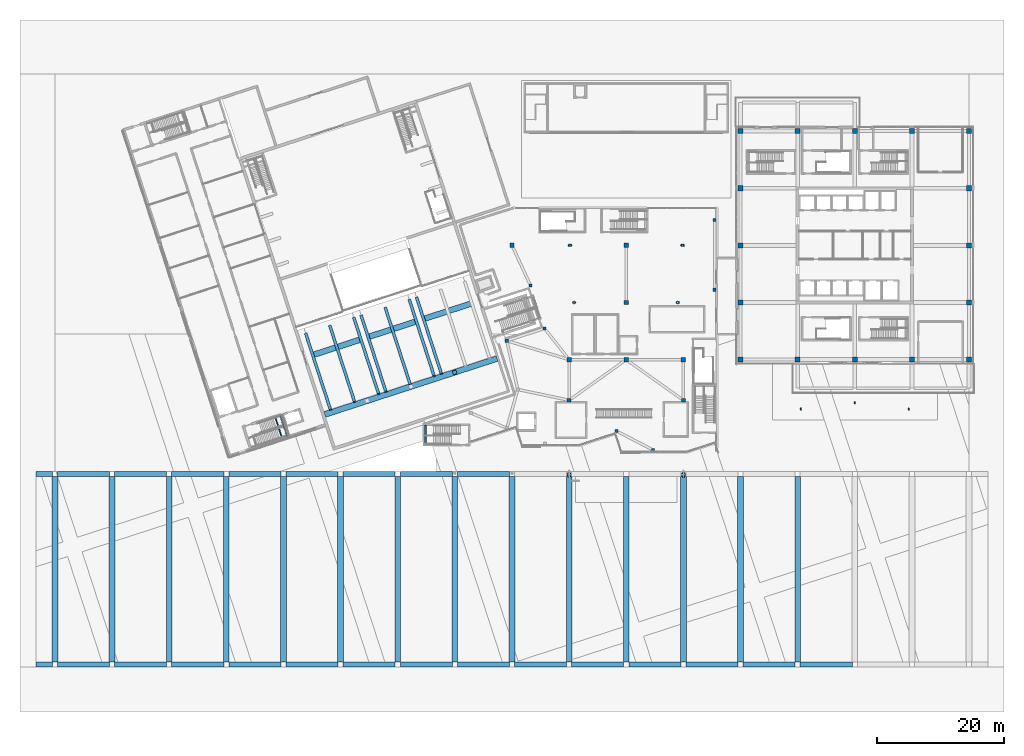
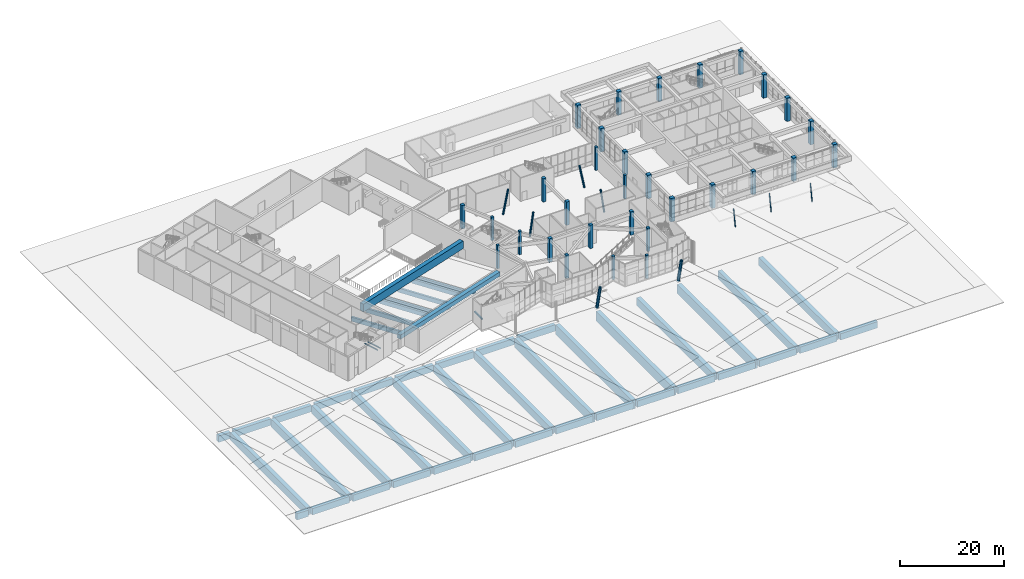
# One storey, part 2 of 72: 50 beams, 41 columns.
"""IFC4 building model written with IfcOpenShell, lengths in metres."""

import ifcopenshell
import ifcopenshell.guid

model = None  # the IFC model being written
_history = None  # IfcOwnerHistory: only IFC2X3 demands one
_inside = {}  # id of a spatial element -> (the spatial element, [elements in it])
_under = {}  # id of a project, library or spatial element -> (it, [spatial elements below it])
_declared = {}  # id of a project -> (the project, [libraries it declares])
_typed = {}  # id of a type object -> (the type object, [elements of that type])
_made_of = {}  # id of a material, layer set ... -> (it, [elements and type objects made of it])


def new_model(schema):
    """Start an empty IFC model of exactly this schema.

    Asked for "IFC4X3", IfcOpenShell would pick the latest addendum, in which some entities
    have other attributes; the version numbers below select the first issue.
    IFC2X3 requires an IfcOwnerHistory on every rooted entity: one is made here for all.
    """
    global model, _history
    if schema == "IFC4X3":
        model = ifcopenshell.file(schema_version=(4, 3, 0, 0))
    else:
        model = ifcopenshell.file(schema=schema)
    _inside.clear()
    _under.clear()
    _declared.clear()
    _typed.clear()
    _made_of.clear()
    _history = None
    if model.schema == "IFC2X3":
        org = make("IfcOrganization", Name="unknown")
        user = make(
            "IfcPersonAndOrganization",
            ThePerson=make("IfcPerson", FamilyName="unknown"),
            TheOrganization=org,
        )
        app = make(
            "IfcApplication",
            ApplicationDeveloper=org,
            Version="unknown",
            ApplicationFullName="unknown",
            ApplicationIdentifier="unknown",
        )
        _history = make(
            "IfcOwnerHistory",
            OwningUser=user,
            OwningApplication=app,
            ChangeAction="ADDED",
            CreationDate=0,
        )
    return model


def make(cls, **values):
    """One entity of the class cls with the attributes given. An attribute that is None is left unset."""
    return model.create_entity(
        cls, **{name: value for name, value in values.items() if value is not None}
    )


def rooted(cls, **values):
    """An entity with a GlobalId (a new one), such as an element, a storey or a relation."""
    return make(cls, GlobalId=ifcopenshell.guid.new(), OwnerHistory=_history, **values)


def si_unit(unit_type, name, prefix=None):
    """IfcSIUnit, for example si_unit("LENGTHUNIT", "METRE", prefix="MILLI")."""
    return make("IfcSIUnit", UnitType=unit_type, Prefix=prefix, Name=name)


def assignment(units):
    """IfcUnitAssignment: the units of a project."""
    return None if units is None else make("IfcUnitAssignment", Units=units)


def point(xyz):
    """IfcCartesianPoint."""
    return None if xyz is None else make("IfcCartesianPoint", Coordinates=xyz)


def direction(xyz):
    """IfcDirection."""
    return None if xyz is None else make("IfcDirection", DirectionRatios=xyz)


def frame(location, z_axis=None, x_axis=None):
    """IfcAxis2Placement3D, a coordinate frame: its origin and axes. An axis left out is left unset."""
    return make(
        "IfcAxis2Placement3D",
        Location=point(location),
        Axis=direction(z_axis),
        RefDirection=direction(x_axis),
    )


def frame_2d(location, x_axis=None):
    """IfcAxis2Placement2D, a coordinate frame in the plane: its origin and x axis."""
    return make(
        "IfcAxis2Placement2D", Location=point(location), RefDirection=direction(x_axis)
    )


def origin():
    """The frame at (0, 0, 0) with its axes left unset."""
    return frame((0.0, 0.0, 0.0))


def origin_2d():
    """The frame at (0, 0) in the plane with its x axis left unset."""
    return frame_2d((0.0, 0.0))


def place(relative_to, where):
    """IfcLocalPlacement: puts the frame where relative to a parent placement (None: the world)."""
    return make(
        "IfcLocalPlacement", PlacementRelTo=relative_to, RelativePlacement=where
    )


def context(
    kind, dimensions, precision=None, world=None, true_north=None, identifier=None
):
    """IfcGeometricRepresentationContext, for example the 3D "Model" context."""
    return make(
        "IfcGeometricRepresentationContext",
        ContextIdentifier=identifier,
        ContextType=kind,
        CoordinateSpaceDimension=dimensions,
        Precision=precision,
        WorldCoordinateSystem=world,
        TrueNorth=true_north,
    )


def subcontext(parent, identifier, kind, view, scale=None):
    """IfcGeometricRepresentationSubContext, for example "Body" below "Model"."""
    return make(
        "IfcGeometricRepresentationSubContext",
        ContextIdentifier=identifier,
        ContextType=kind,
        ParentContext=parent,
        TargetScale=scale,
        TargetView=view,
    )


def project(units=None, contexts=None):
    """IfcProject with its units and contexts."""
    return rooted(
        "IfcProject",
        Name="project",
        RepresentationContexts=contexts,
        UnitsInContext=assignment(units),
    )


def spatial(cls, under=None, at=None, **own):
    """A site, building, storey or space (cls), placed at a placement, below another one or the project."""
    s = rooted(cls, ObjectPlacement=at, **own)
    if under is not None:
        _under.setdefault(under.id(), (under, []))[1].append(s)
    return s


def profile(cls, at=None, kind="AREA", **sizes):
    """A parametric profile (cls). Its sizes go by their IFC names, for example OverallWidth=200.0."""
    return make(cls, ProfileType=kind, Position=at, **sizes)


def rectangle(**sizes):
    """IfcRectangleProfileDef."""
    return profile("IfcRectangleProfileDef", **sizes)


def hollow_circle(**sizes):
    """IfcCircleHollowProfileDef."""
    return profile("IfcCircleHollowProfileDef", **sizes)


def i_section(**sizes):
    """IfcIShapeProfileDef."""
    return profile("IfcIShapeProfileDef", **sizes)


def extrude(swept, where, along, depth):
    """IfcExtrudedAreaSolid: the profile swept, set in the frame where, extruded along a direction by depth."""
    return make(
        "IfcExtrudedAreaSolid",
        SweptArea=swept,
        Position=where,
        ExtrudedDirection=direction(along),
        Depth=depth,
    )


def shape(context_of_items, identifier, shape_type, items):
    """IfcShapeRepresentation: the items that make up one representation, for example the "Body"."""
    return make(
        "IfcShapeRepresentation",
        ContextOfItems=context_of_items,
        RepresentationIdentifier=identifier,
        RepresentationType=shape_type,
        Items=items,
    )


def material(Name=None, Category=None):
    """IfcMaterial."""
    return make("IfcMaterial", Name=Name, Category=Category)


def material_profile(
    of_material, cross_section, Name=None, Category=None, Priority=None
):
    """IfcMaterialProfile: a cross section and its material."""
    return make(
        "IfcMaterialProfile",
        Name=Name,
        Material=of_material,
        Profile=cross_section,
        Priority=Priority,
        Category=Category,
    )


def profile_set(profiles, Name=None, composite=None):
    """IfcMaterialProfileSet."""
    return make(
        "IfcMaterialProfileSet",
        Name=Name,
        MaterialProfiles=profiles,
        CompositeProfile=composite,
    )


def made_of(thing, what):
    """Note that an element or type object is made of a material, layer set ...; save() writes the relation."""
    if what is not None:
        _made_of.setdefault(what.id(), (what, []))[1].append(thing)
    return thing


def type_object(cls, material=None, **own):
    """A type object (cls), such as IfcWallType, which elements share."""
    return made_of(rooted(cls, **own), material)


def element(
    cls,
    number,
    at=None,
    inside=None,
    cuts=None,
    type_object=None,
    material=None,
    context=None,
    identifier="Body",
    shape_type=None,
    held_by="IfcProductDefinitionShape",
    body=None,
    shapes=None,
    **own,
):
    """One element of the class cls, such as IfcWall. Its Tag is "e" and its number.

    at: its placement. inside: the storey or other place that contains it. cuts: it is an
    opening in that element (IfcRelVoidsElement). A single representation is given by context,
    identifier, shape_type and body (its items); several are given by shapes. held_by: the class
    of the entity that holds the representations. save() writes the other relations.
    """
    e = rooted(cls, Tag="e%d" % number, ObjectPlacement=at, **own)
    if body is not None:
        shapes = [shape(context, identifier, shape_type, body)]
    if shapes is not None:
        e.Representation = make(held_by, Representations=shapes)
    if inside is not None:
        _inside.setdefault(inside.id(), (inside, []))[1].append(e)
    if cuts is not None:
        rooted(
            "IfcRelVoidsElement", RelatingBuildingElement=cuts, RelatedOpeningElement=e
        )
    if type_object is not None:
        _typed.setdefault(type_object.id(), (type_object, []))[1].append(e)
    return made_of(e, material)


def aggregate(whole, parts):
    """IfcRelAggregates: a whole, such as a stair, and the parts it consists of."""
    return rooted("IfcRelAggregates", RelatingObject=whole, RelatedObjects=parts)


def save(model, path):
    """Write the relations noted so far, then the file.

    IfcRelAggregates (storeys below a building ...), IfcRelContainedInSpatialStructure (elements
    in a storey), IfcRelDefinesByType, IfcRelAssociatesMaterial and IfcRelDeclares: one each for
    every whole, place, type object, material and project.
    """
    for whole, parts in _under.values():
        aggregate(whole, parts)
    for where, things in _inside.values():
        rooted(
            "IfcRelContainedInSpatialStructure",
            RelatedElements=things,
            RelatingStructure=where,
        )
    for kind, things in _typed.values():
        rooted("IfcRelDefinesByType", RelatedObjects=things, RelatingType=kind)
    for what, things in _made_of.values():
        rooted("IfcRelAssociatesMaterial", RelatedObjects=things, RelatingMaterial=what)
    for by, libraries in _declared.values():
        rooted("IfcRelDeclares", RelatingContext=by, RelatedDefinitions=libraries)
    model.write(path)


model = new_model("IFC4")

# Units and contexts
model_context = context("Model", 3, precision=1e-05, world=origin(), true_north=direction((0.0, 1.0)))
body_context = subcontext(model_context, "Body", "Model", "MODEL_VIEW")
ifc_project = project(units=[si_unit("LENGTHUNIT", "METRE"), si_unit("AREAUNIT", "SQUARE_METRE"), si_unit("VOLUMEUNIT", "CUBIC_METRE"), si_unit("PLANEANGLEUNIT", "RADIAN"), si_unit("MASSUNIT", "GRAM", prefix="KILO")], contexts=[model_context])

# Site, building, storey
site_placement = place(None, origin())
site = spatial("IfcSite", under=ifc_project, at=site_placement, CompositionType="ELEMENT")
building_placement = place(site_placement, origin())
building = spatial("IfcBuilding", under=site, at=building_placement, Name="Tuart Plaza Theatre", CompositionType="ELEMENT")
storey_placement = place(building_placement, origin())
storey = spatial("IfcBuildingStorey", under=building, at=storey_placement, Name="L00", CompositionType="ELEMENT", Elevation=0.0)

# Columns
ifc_material_1 = material(Name="Steel Grade C350L0", Category="steel")
ifc_material_profile_1 = material_profile(ifc_material_1, hollow_circle(Radius=0.109619140625, WallThickness=0.00830078125, at=origin_2d()), Name="219.1x8.2 CHS")
ifc_profile_set_1 = profile_set([ifc_material_profile_1], Name="Steel Grade C350L0")
column_type_1 = type_object("IfcColumnType", Name="COLUMN 219.1x8.2 CHS", PredefinedType="COLUMN", material=ifc_profile_set_1)
for number, where, z_axis, x_axis, name in (
    (1, (123.5, 48.101806640625, -0.14990234375), (0.0, 0.173636404091, 0.984809828939), (-1.0, 0.0, 0.0), "SC31"),
    (2, (140.5, 48.101806640625, -0.14990234375), (0.0, 0.173636404091, 0.984809828939), (-1.0, 0.0, 0.0), "SC31"),
):
    element("IfcColumn", number, at=place(storey_placement, frame(where, z_axis=z_axis, x_axis=x_axis)), inside=storey, type_object=column_type_1, Name=name, PredefinedType="COLUMN", context=body_context, shape_type="SweptSolid", body=[
        extrude(hollow_circle(Radius=0.109619140625, WallThickness=0.00830078125, at=origin_2d()), origin(), (0.0, 0.0, 1.0), 4.021240234375),
    ])
column_1_placement = place(storey_placement, frame((132.0, 49.085693359375, -0.14990234375), z_axis=(0.0, 0.17363976064, 0.984809237124), x_axis=(-1.0, 0.0, 0.0)))
element("IfcColumn", 3, at=column_1_placement, inside=storey, type_object=column_type_1, Name="SC31", PredefinedType="COLUMN", context=body_context, shape_type="SweptSolid", body=[
    extrude(hollow_circle(Radius=0.109619140625, WallThickness=0.00830078125, at=origin_2d()), origin(), (0.0, 0.0, 1.0), 4.114013671875),
])
ifc_material_2 = material(Name="Steel Grade C350L0", Category="steel")
ifc_material_profile_2 = material_profile(ifc_material_2, hollow_circle(Radius=0.203125, WallThickness=0.0126953125, at=origin_2d()), Name="406.4x12.7 CHS")
ifc_profile_set_2 = profile_set([ifc_material_profile_2], Name="Steel Grade C350L0")
column_type_2 = type_object("IfcColumnType", Name="COLUMN 406.4x12.7 CHS", PredefinedType="COLUMN", material=ifc_profile_set_2)
for number, where, z_axis, x_axis, name in (
    (4, (87.699951171875, 65.0, 0.0), (0.14420653447, 0.0, 0.989547611495), (0.0, 1.0, 0.0), "SC27"),
    (5, (104.199951171875, 65.0, 0.0), (-0.144163522278, 0.0, 0.989553878697), (0.0, -1.0, 0.0), "SC28"),
):
    element("IfcColumn", number, at=place(storey_placement, frame(where, z_axis=z_axis, x_axis=x_axis)), inside=storey, type_object=column_type_2, Name=name, PredefinedType="COLUMN", context=body_context, shape_type="SweptSolid", body=[
        extrude(hollow_circle(Radius=0.203125, WallThickness=0.0126953125, at=origin_2d()), origin(), (0.0, 0.0, 1.0), 5.55810546875),
    ])
for number, where, z_axis, x_axis, name in (
    (6, (87.0, 74.0, 0.0), (0.196132876282, 0.0, 0.980577327314), (0.0, 1.0, 0.0), "SC29"),
    (7, (105.0, 74.0, 0.0), (-0.196132876282, 0.0, 0.980577327314), (0.0, -1.0, 0.0), "SC30"),
):
    element("IfcColumn", number, at=place(storey_placement, frame(where, z_axis=z_axis, x_axis=x_axis)), inside=storey, type_object=column_type_2, Name=name, PredefinedType="COLUMN", context=body_context, shape_type="SweptSolid", body=[
        extrude(hollow_circle(Radius=0.203125, WallThickness=0.0126953125, at=origin_2d()), origin(), (0.0, 0.0, 1.0), 5.60888671875),
    ])
ifc_material_3 = material(Name="Concrete N50 (50 MPa)", Category="concrete")
ifc_material_profile_3 = material_profile(ifc_material_3, rectangle(XDim=0.5, YDim=0.5, at=origin_2d()), Name="COLUMN 500x500 Concrete N50 (50 MPa)")
ifc_profile_set_3 = profile_set([ifc_material_profile_3], Name="Concrete N50 (50 MPa)")
column_type_3 = type_object("IfcColumnType", Name="COLUMN 500x500 Concrete N50 (50 MPa)", PredefinedType="COLUMN", material=ifc_profile_set_3)
for number, where, z_axis, x_axis, name in (
    (8, (109.909912109375, 78.0, 0.0), (0.0, 0.0, 1.0), (1.0, 0.0, 0.0), "C37"),
    (9, (109.909912109375, 67.0, 0.0), (0.0, 0.0, 1.0), (1.0, 0.0, 0.0), "C38"),
    (10, (100.199951171875, 41.780029296875, 0.0), (0.0, 0.0, 1.0), (1.0, 0.0, 0.0), "C39"),
    (11, (94.47998046875, 44.75, 0.0), (0.0, 0.0, 1.0), (1.0, 0.0, 0.0), "C40"),
    (12, (77.181640625, 58.9853515625, 0.0), (0.0, 0.0, 1.0), (1.0, 0.0, 0.0), "C45"),
    (13, (83.1298828125, 60.909912109375, 0.0), (0.0, 0.0, 1.0), (1.0, 0.0, 0.0), "C46"),
    (14, (80.929931640625, 67.659912109375, 0.0), (0.0, 0.0, 1.0), (1.0, 0.0, 0.0), "C47"),
):
    element("IfcColumn", number, at=place(storey_placement, frame(where, z_axis=z_axis, x_axis=x_axis)), inside=storey, type_object=column_type_3, Name=name, PredefinedType="COLUMN", context=body_context, shape_type="SweptSolid", body=[
        extrude(rectangle(XDim=0.5, YDim=0.5, at=origin_2d()), origin(), (0.0, 0.0, 1.0), 5.5),
    ])
ifc_material_4 = material(Name="Concrete N50 (50 MPa)", Category="concrete")
ifc_material_profile_4 = material_profile(ifc_material_4, rectangle(XDim=0.60009765625, YDim=0.60009765625, at=origin_2d()), Name="COLUMN 600x600 Concrete N50 (50 MPa)")
ifc_profile_set_4 = profile_set([ifc_material_profile_4], Name="Concrete N50 (50 MPa)")
column_type_4 = type_object("IfcColumnType", Name="COLUMN 600x600 Concrete N50 (50 MPa)", PredefinedType="COLUMN", material=ifc_profile_set_4)
column_2_placement = place(storey_placement, frame((68.970458984375, 53.99951171875, 0.0), z_axis=(0.0, 0.0, 1.0), x_axis=(0.951056516295, 0.309016994375, 0.0)))
element("IfcColumn", 15, at=column_2_placement, inside=storey, type_object=column_type_4, Name="C27", PredefinedType="COLUMN", context=body_context, shape_type="SweptSolid", body=[
    extrude(rectangle(XDim=0.60009765625, YDim=0.60009765625, at=origin_2d()), origin(), (0.0, 0.0, 1.0), 0.550048828125),
])
for number, where, z_axis, x_axis, name in (
    (16, (87.0, 49.60009765625, 0.0), (0.0, 0.0, 1.0), (1.0, 0.0, 0.0), "C48"),
    (17, (105.0, 49.60009765625, 0.0), (0.0, 0.0, 1.0), (1.0, 0.0, 0.0), "C49"),
):
    element("IfcColumn", number, at=place(storey_placement, frame(where, z_axis=z_axis, x_axis=x_axis)), inside=storey, type_object=column_type_4, Name=name, PredefinedType="COLUMN", context=body_context, shape_type="SweptSolid", body=[
        extrude(rectangle(XDim=0.60009765625, YDim=0.60009765625, at=origin_2d()), origin(), (0.0, 0.0, 1.0), 5.5),
    ])
ifc_material_5 = material(Name="Steel Grade C350L0", Category="steel")
ifc_material_profile_5 = material_profile(ifc_material_5, hollow_circle(Radius=0.304931640625, WallThickness=0.0126953125, at=origin_2d()), Name="610x12.7 CHS")
ifc_profile_set_5 = profile_set([ifc_material_profile_5], Name="Steel Grade C350L0")
column_type_5 = type_object("IfcColumnType", Name="COLUMN 610x12.7 CHS", PredefinedType="COLUMN", material=ifc_profile_set_5)
for number, where, z_axis, x_axis, name in (
    (18, (87.0, 37.9853515625, 0.066162109375), (0.0, -0.216930457819, 0.976187060184), (1.0, 0.0, 0.0), "SC25"),
    (19, (105.0, 37.9853515625, 0.066162109375), (0.0, -0.216930457819, 0.976187060184), (1.0, 0.0, 0.0), "SC26"),
):
    element("IfcColumn", number, at=place(storey_placement, frame(where, z_axis=z_axis, x_axis=x_axis)), inside=storey, type_object=column_type_5, Name=name, PredefinedType="COLUMN", context=body_context, shape_type="SweptSolid", body=[
        extrude(hollow_circle(Radius=0.304931640625, WallThickness=0.0126953125, at=origin_2d()), origin(), (0.0, 0.0, 1.0), 5.56640625),
    ])
ifc_material_6 = material(Name="Concrete N50 (50 MPa)", Category="concrete")
ifc_material_profile_6 = material_profile(ifc_material_6, rectangle(XDim=0.699951171875, YDim=0.699951171875, at=origin_2d()), Name="COLUMN 700x700 Concrete N50 (50 MPa)")
ifc_profile_set_6 = profile_set([ifc_material_profile_6], Name="Concrete N50 (50 MPa)")
column_type_6 = type_object("IfcColumnType", Name="COLUMN 700x700 Concrete N50 (50 MPa)", PredefinedType="COLUMN", material=ifc_profile_set_6)
for number, where, z_axis, x_axis, name in (
    (20, (78.0, 74.0, 0.0), (0.0, 0.0, 1.0), (1.0, 0.0, 0.0), "C31"),
    (21, (87.0, 56.0, 0.0), (0.0, 0.0, 1.0), (1.0, 0.0, 0.0), "C32"),
    (22, (96.0, 56.0, 0.0), (0.0, 0.0, 1.0), (1.0, 0.0, 0.0), "C33"),
    (23, (96.0, 65.0, 0.0), (0.0, 0.0, 1.0), (1.0, 0.0, 0.0), "C34"),
    (24, (96.0, 74.0, 0.0), (0.0, 0.0, 1.0), (1.0, 0.0, 0.0), "C35"),
    (25, (105.0, 56.0, 0.0), (0.0, 0.0, 1.0), (1.0, 0.0, 0.0), "C36"),
):
    element("IfcColumn", number, at=place(storey_placement, frame(where, z_axis=z_axis, x_axis=x_axis)), inside=storey, type_object=column_type_6, Name=name, PredefinedType="COLUMN", context=body_context, shape_type="SweptSolid", body=[
        extrude(rectangle(XDim=0.699951171875, YDim=0.699951171875, at=origin_2d()), origin(), (0.0, 0.0, 1.0), 5.5),
    ])
ifc_material_7 = material(Name="Concrete N50 (50 MPa)", Category="concrete")
ifc_material_profile_7 = material_profile(ifc_material_7, rectangle(XDim=0.800048828125, YDim=0.800048828125, at=origin_2d()), Name="COLUMN 800x800 Concrete N50 (50 MPa)")
ifc_profile_set_7 = profile_set([ifc_material_profile_7], Name="Concrete N50 (50 MPa)")
column_type_7 = type_object("IfcColumnType", Name="COLUMN 800x800 Concrete N50 (50 MPa)", PredefinedType="COLUMN", material=ifc_profile_set_7)
for number, where, z_axis, x_axis, name in (
    (26, (114.0, 56.0, 0.0), (0.0, 0.0, 1.0), (1.0, 0.0, 0.0), "C50"),
    (27, (114.0, 65.0, 0.0), (0.0, 0.0, 1.0), (1.0, 0.0, 0.0), "C51"),
    (28, (114.0, 74.0, 0.0), (0.0, 0.0, 1.0), (1.0, 0.0, 0.0), "C52"),
    (29, (114.0, 83.0, 0.0), (0.0, 0.0, 1.0), (1.0, 0.0, 0.0), "C53"),
    (30, (114.0, 92.0, 0.0), (0.0, 0.0, 1.0), (1.0, 0.0, 0.0), "C54"),
    (31, (123.0, 56.0, 0.0), (0.0, 0.0, 1.0), (1.0, 0.0, 0.0), "C55"),
    (32, (123.0, 92.0, 0.0), (0.0, 0.0, 1.0), (1.0, 0.0, 0.0), "C56"),
    (33, (132.0, 56.0, 0.0), (0.0, 0.0, 1.0), (1.0, 0.0, 0.0), "C57"),
    (34, (132.0, 92.0, 0.0), (0.0, 0.0, 1.0), (1.0, 0.0, 0.0), "C58"),
    (35, (141.0, 56.0, 0.0), (0.0, 0.0, 1.0), (1.0, 0.0, 0.0), "C59"),
    (36, (141.0, 92.0, 0.0), (0.0, 0.0, 1.0), (1.0, 0.0, 0.0), "C60"),
    (37, (150.0, 56.0, 0.0), (0.0, 0.0, 1.0), (1.0, 0.0, 0.0), "C61"),
    (38, (150.0, 65.0, 0.0), (0.0, 0.0, 1.0), (1.0, 0.0, 0.0), "C62"),
    (39, (150.0, 74.0, 0.0), (0.0, 0.0, 1.0), (1.0, 0.0, 0.0), "C63"),
    (40, (150.0, 83.0, 0.0), (0.0, 0.0, 1.0), (1.0, 0.0, 0.0), "C64"),
    (41, (150.0, 92.0, 0.0), (0.0, 0.0, 1.0), (1.0, 0.0, 0.0), "C65"),
):
    element("IfcColumn", number, at=place(storey_placement, frame(where, z_axis=z_axis, x_axis=x_axis)), inside=storey, type_object=column_type_7, Name=name, PredefinedType="COLUMN", context=body_context, shape_type="SweptSolid", body=[
        extrude(rectangle(XDim=0.800048828125, YDim=0.800048828125, at=origin_2d()), origin(), (0.0, 0.0, 1.0), 5.5),
    ])

# Beams
ifc_material_8 = material(Name="Steel Grade 300", Category="steel")
ifc_material_profile_8 = material_profile(ifc_material_8, i_section(OverallWidth=0.14599609375, OverallDepth=0.256103515625, WebThickness=0.00634765625, FlangeThickness=0.010986328125, FilletRadius=0.0087890625, at=origin_2d()), Name="250UB37.3")
ifc_profile_set_8 = profile_set([ifc_material_profile_8], Name="Steel Grade 300")
beam_type_1 = type_object("IfcBeamType", Name="BEAM 250UB37.3", PredefinedType="BEAM", material=ifc_profile_set_8)
for number, where, z_axis, x_axis, name in (
    (42, (41.487548828125, 47.172607421875, 2.422119140625), (0.308980533303, -0.951068362443, 0.0), (0.951068362443, 0.308980533303, 0.0), "SB5"),
    (43, (40.71240234375, 46.9208984375, 2.422119140625), (0.308980533303, -0.951068362443, 0.0), (0.951068362443, 0.308980533303, 0.0), "SB6"),
):
    element("IfcBeam", number, at=place(storey_placement, frame(where, z_axis=z_axis, x_axis=x_axis)), inside=storey, type_object=beam_type_1, Name=name, PredefinedType="BEAM", context=body_context, shape_type="SweptSolid", body=[
        extrude(i_section(OverallWidth=0.14599609375, OverallDepth=0.256103515625, WebThickness=0.00634765625, FlangeThickness=0.010986328125, FilletRadius=0.0087890625, at=origin_2d()), origin(), (0.0, 0.0, 1.0), 3.39990234375),
    ])
ifc_material_9 = material(Name="Concrete N40 (40 MPa)", Category="concrete")
ifc_material_profile_9 = material_profile(ifc_material_9, rectangle(XDim=0.300048828125, YDim=0.300048828125, at=origin_2d()), Name="BEAM 300x300 Concrete N40 (40 MPa)")
ifc_profile_set_9 = profile_set([ifc_material_profile_9], Name="Concrete N40 (40 MPa)")
beam_type_2 = type_object("IfcBeamType", Name="BEAM 300x300 Concrete N40 (40 MPa)", PredefinedType="BEAM", material=ifc_profile_set_9)
beam_1_placement = place(storey_placement, frame((64.35205078125, 45.64990234375, 2.39990234375), z_axis=(0.0, -1.0, 0.0), x_axis=(1.0, 0.0, 0.0)))
element("IfcBeam", 44, at=beam_1_placement, inside=storey, type_object=beam_type_2, Name="RB53", PredefinedType="BEAM", context=body_context, shape_type="SweptSolid", body=[
    extrude(rectangle(XDim=0.300048828125, YDim=0.300048828125, at=origin_2d()), origin(), (0.0, 0.0, 1.0), 3.0),
])
ifc_material_10 = material(Name="Concrete N40 (40 MPa)", Category="concrete")
ifc_material_profile_10 = material_profile(ifc_material_10, rectangle(XDim=0.449951171875, YDim=0.949951171875, at=origin_2d()), Name="BEAM 450x950 Concrete N40 SLOPED")
ifc_profile_set_10 = profile_set([ifc_material_profile_10], Name="Concrete N40 (40 MPa)")
beam_type_3 = type_object("IfcBeamType", Name="BEAM 450x950 Concrete N40 SLOPED", PredefinedType="BEAM", material=ifc_profile_set_10)
beam_2_placement = place(storey_placement, frame((49.406005859375, 48.11572265625, 1.060546875), z_axis=(-0.303009902984, 0.932589545904, -0.196116642752), x_axis=(-0.951058557014, -0.309010713619, 0.0)))
element("IfcBeam", 45, at=beam_2_placement, inside=storey, type_object=beam_type_3, Name="RB5", PredefinedType="BEAM", context=body_context, shape_type="SweptSolid", body=[
    extrude(rectangle(XDim=0.449951171875, YDim=0.949951171875, at=origin_2d()), origin(), (0.0, 0.0, 1.0), 12.849609375),
])
beam_3_placement = place(storey_placement, frame((53.202392578125, 49.349365234375, 1.060546875), z_axis=(-0.303015272129, 0.932587070597, -0.196120117815), x_axis=(-0.951056706781, -0.30901640812, 0.0)))
element("IfcBeam", 46, at=beam_3_placement, inside=storey, type_object=beam_type_3, Name="RB6", PredefinedType="BEAM", context=body_context, shape_type="SweptSolid", body=[
    extrude(rectangle(XDim=0.449951171875, YDim=0.949951171875, at=origin_2d()), origin(), (0.0, 0.0, 1.0), 12.849365234375),
])
for number, where, z_axis, x_axis, name in (
    (47, (56.99853515625, 50.582763671875, 1.060546875), (-0.303009902984, 0.932589545904, -0.196116642752), (-0.951058557014, -0.309010713619, 0.0), "RB7"),
    (48, (58.139892578125, 50.95361328125, 1.060546875), (-0.303009902984, 0.932589545904, -0.196116642752), (-0.951058557014, -0.309010713619, 0.0), "RB8"),
):
    element("IfcBeam", number, at=place(storey_placement, frame(where, z_axis=z_axis, x_axis=x_axis)), inside=storey, type_object=beam_type_3, Name=name, PredefinedType="BEAM", context=body_context, shape_type="SweptSolid", body=[
        extrude(rectangle(XDim=0.449951171875, YDim=0.949951171875, at=origin_2d()), origin(), (0.0, 0.0, 1.0), 12.849609375),
    ])
beam_4_placement = place(storey_placement, frame((61.982666015625, 52.04443359375, 1.090576171875), z_axis=(-0.303013974852, 0.932587563699, -0.196119777378), x_axis=(-0.951057143609, -0.309015063694, 0.0)))
element("IfcBeam", 49, at=beam_4_placement, inside=storey, type_object=beam_type_3, Name="RB9", PredefinedType="BEAM", context=body_context, shape_type="SweptSolid", body=[
    extrude(rectangle(XDim=0.449951171875, YDim=0.949951171875, at=origin_2d()), origin(), (0.0, 0.0, 1.0), 13.00244140625),
])
for number, where, z_axis, x_axis, name in (
    (50, (65.732666015625, 53.420654296875, 1.060546875), (-0.303032527619, 0.932581701243, -0.196118988657), (-0.951051012053, -0.309033934177, 0.0), "RB10"),
    (51, (66.873779296875, 53.79150390625, 1.060546875), (-0.303015272129, 0.932587070597, -0.196120117815), (-0.951056706781, -0.30901640812, 0.0), "RB11"),
):
    element("IfcBeam", number, at=place(storey_placement, frame(where, z_axis=z_axis, x_axis=x_axis)), inside=storey, type_object=beam_type_3, Name=name, PredefinedType="BEAM", context=body_context, shape_type="SweptSolid", body=[
        extrude(rectangle(XDim=0.449951171875, YDim=0.949951171875, at=origin_2d()), origin(), (0.0, 0.0, 1.0), 12.849365234375),
    ])
ifc_material_11 = material(Name="Concrete N40 (40 MPa)", Category="concrete")
ifc_material_profile_11 = material_profile(ifc_material_11, rectangle(XDim=0.800048828125, YDim=1.5, at=origin_2d()), Name="BEAM 800x1500 Concrete N40 (40 MPa)")
ifc_profile_set_11 = profile_set([ifc_material_profile_11], Name="Concrete N40 (40 MPa)")
beam_type_4 = type_object("IfcBeamType", Name="BEAM 800x1500 Concrete N40 (40 MPa)", PredefinedType="BEAM", material=ifc_profile_set_11)
beam_5_placement = place(storey_placement, frame((3.0, 8.0, -1.199951171875), z_axis=(1.0, 0.0, 0.0), x_axis=(0.0, 1.0, 0.0)))
element("IfcBeam", 52, at=beam_5_placement, inside=storey, type_object=beam_type_4, Name="RB396", PredefinedType="BEAM", context=body_context, shape_type="SweptSolid", body=[
    extrude(rectangle(XDim=0.800048828125, YDim=1.5, at=origin_2d()), origin(), (0.0, 0.0, 1.0), 2.60009765625),
])
for number, where, z_axis, x_axis, name in (
    (53, (6.39990234375, 8.0, -1.199951171875), (1.0, 0.0, 0.0), (0.0, 1.0, 0.0), "RB397"),
    (54, (15.39990234375, 8.0, -1.199951171875), (1.0, 0.0, 0.0), (0.0, 1.0, 0.0), "RB398"),
    (55, (24.39990234375, 8.0, -1.199951171875), (1.0, 0.0, 0.0), (0.0, 1.0, 0.0), "RB399"),
    (56, (33.39990234375, 8.0, -1.199951171875), (1.0, 0.0, 0.0), (0.0, 1.0, 0.0), "RB400"),
    (57, (42.39990234375, 8.0, -1.199951171875), (1.0, 0.0, 0.0), (0.0, 1.0, 0.0), "RB401"),
    (58, (51.39990234375, 8.0, -1.199951171875), (1.0, 0.0, 0.0), (0.0, 1.0, 0.0), "RB402"),
    (59, (60.39990234375, 8.0, -1.199951171875), (1.0, 0.0, 0.0), (0.0, 1.0, 0.0), "RB403"),
    (60, (69.39990234375, 8.0, -1.199951171875), (1.0, 0.0, 0.0), (0.0, 1.0, 0.0), "RB404"),
    (61, (78.39990234375, 8.0, -1.199951171875), (1.0, 0.0, 0.0), (0.0, 1.0, 0.0), "RB405"),
    (62, (87.39990234375, 8.0, -1.199951171875), (1.0, 0.0, 0.0), (0.0, 1.0, 0.0), "RB406"),
    (63, (96.39990234375, 8.0, -1.199951171875), (1.0, 0.0, 0.0), (0.0, 1.0, 0.0), "RB407"),
    (64, (105.39990234375, 8.0, -1.199951171875), (1.0, 0.0, 0.0), (0.0, 1.0, 0.0), "RB408"),
    (65, (114.39990234375, 8.0, -1.199951171875), (1.0, 0.0, 0.0), (0.0, 1.0, 0.0), "RB409"),
    (66, (123.39990234375, 8.0, -1.199951171875), (1.0, 0.0, 0.0), (0.0, 1.0, 0.0), "RB410"),
):
    element("IfcBeam", number, at=place(storey_placement, frame(where, z_axis=z_axis, x_axis=x_axis)), inside=storey, type_object=beam_type_4, Name=name, PredefinedType="BEAM", context=body_context, shape_type="SweptSolid", body=[
        extrude(rectangle(XDim=0.800048828125, YDim=1.5, at=origin_2d()), origin(), (0.0, 0.0, 1.0), 8.2001953125),
    ])
beam_6_placement = place(storey_placement, frame((3.0, 38.0, -1.199951171875), z_axis=(1.0, 0.0, 0.0), x_axis=(0.0, 1.0, 0.0)))
element("IfcBeam", 67, at=beam_6_placement, inside=storey, type_object=beam_type_4, Name="RB414", PredefinedType="BEAM", context=body_context, shape_type="SweptSolid", body=[
    extrude(rectangle(XDim=0.800048828125, YDim=1.5, at=origin_2d()), origin(), (0.0, 0.0, 1.0), 2.60009765625),
])
for number, where, z_axis, x_axis, name in (
    (68, (6.39990234375, 38.0, -1.199951171875), (1.0, 0.0, 0.0), (0.0, 1.0, 0.0), "RB415"),
    (69, (15.39990234375, 38.0, -1.199951171875), (1.0, 0.0, 0.0), (0.0, 1.0, 0.0), "RB416"),
    (70, (24.39990234375, 38.0, -1.199951171875), (1.0, 0.0, 0.0), (0.0, 1.0, 0.0), "RB417"),
    (71, (33.39990234375, 38.0, -1.199951171875), (1.0, 0.0, 0.0), (0.0, 1.0, 0.0), "RB418"),
    (72, (42.39990234375, 38.0, -1.199951171875), (1.0, 0.0, 0.0), (0.0, 1.0, 0.0), "RB419"),
    (73, (51.39990234375, 38.0, -1.199951171875), (1.0, 0.0, 0.0), (0.0, 1.0, 0.0), "RB420"),
    (74, (60.39990234375, 38.0, -1.199951171875), (1.0, 0.0, 0.0), (0.0, 1.0, 0.0), "RB421"),
    (75, (69.39990234375, 38.0, -1.199951171875), (1.0, 0.0, 0.0), (0.0, 1.0, 0.0), "RB422"),
):
    element("IfcBeam", number, at=place(storey_placement, frame(where, z_axis=z_axis, x_axis=x_axis)), inside=storey, type_object=beam_type_4, Name=name, PredefinedType="BEAM", context=body_context, shape_type="SweptSolid", body=[
        extrude(rectangle(XDim=0.800048828125, YDim=1.5, at=origin_2d()), origin(), (0.0, 0.0, 1.0), 8.2001953125),
    ])
ifc_material_12 = material(Name="Concrete N50 (50 MPa)", Category="concrete")
ifc_material_profile_12 = material_profile(ifc_material_12, rectangle(XDim=0.89990234375, YDim=1.0, at=origin_2d()), Name="BEAM 900x1000 Concrete N50 (50 MPa)")
ifc_profile_set_12 = profile_set([ifc_material_profile_12], Name="Concrete N50 (50 MPa)")
beam_type_5 = type_object("IfcBeamType", Name="BEAM 900x1000 Concrete N50 (50 MPa)", PredefinedType="BEAM", material=ifc_profile_set_12)
beam_7_placement = place(storey_placement, frame((48.4990234375, 47.347900390625, 1.050048828125), z_axis=(0.951055495577, 0.309020135804, 0.0), x_axis=(-0.309020135804, 0.951055495577, 0.0)))
element("IfcBeam", 76, at=beam_7_placement, inside=storey, type_object=beam_type_5, Name="RB3", PredefinedType="BEAM", context=body_context, shape_type="SweptSolid", body=[
    extrude(rectangle(XDim=0.89990234375, YDim=1.0, at=origin_2d()), origin(), (0.0, 0.0, 1.0), 28.550048828125),
])
ifc_material_13 = material(Name="Concrete N40 (40 MPa)", Category="concrete")
ifc_material_profile_13 = material_profile(ifc_material_13, rectangle(XDim=0.89990234375, YDim=1.800048828125, at=origin_2d()), Name="BEAM 900x1800 Concrete N40 (40 MPa)")
ifc_profile_set_13 = profile_set([ifc_material_profile_13], Name="Concrete N40 (40 MPa)")
beam_type_6 = type_object("IfcBeamType", Name="BEAM 900x1800 Concrete N40 (40 MPa)", PredefinedType="BEAM", material=ifc_profile_set_13)
for number, where, z_axis, x_axis, name in (
    (77, (6.0, 8.39990234375, -1.35009765625), (0.0, 1.0, 0.0), (-1.0, 0.0, 0.0), "RB379"),
    (78, (15.0, 8.39990234375, -1.35009765625), (0.0, 1.0, 0.0), (-1.0, 0.0, 0.0), "RB380"),
    (79, (24.0, 8.39990234375, -1.35009765625), (0.0, 1.0, 0.0), (-1.0, 0.0, 0.0), "RB381"),
    (80, (33.0, 8.39990234375, -1.35009765625), (0.0, 1.0, 0.0), (-1.0, 0.0, 0.0), "RB382"),
    (81, (42.0, 8.39990234375, -1.35009765625), (0.0, 1.0, 0.0), (-1.0, 0.0, 0.0), "RB383"),
    (82, (51.0, 8.39990234375, -1.35009765625), (0.0, 1.0, 0.0), (-1.0, 0.0, 0.0), "RB384"),
    (83, (60.0, 8.39990234375, -1.35009765625), (0.0, 1.0, 0.0), (-1.0, 0.0, 0.0), "RB385"),
    (84, (96.0, 8.39990234375, -1.35009765625), (0.0, 1.0, 0.0), (-1.0, 0.0, 0.0), "RB389"),
    (85, (114.0, 8.39990234375, -1.35009765625), (0.0, 1.0, 0.0), (-1.0, 0.0, 0.0), "RB391"),
    (86, (123.0, 8.39990234375, -1.35009765625), (0.0, 1.0, 0.0), (-1.0, 0.0, 0.0), "RB392"),
):
    element("IfcBeam", number, at=place(storey_placement, frame(where, z_axis=z_axis, x_axis=x_axis)), inside=storey, type_object=beam_type_6, Name=name, PredefinedType="BEAM", context=body_context, shape_type="SweptSolid", body=[
        extrude(rectangle(XDim=0.89990234375, YDim=1.800048828125, at=origin_2d()), origin(), (0.0, 0.0, 1.0), 29.2001953125),
    ])
ifc_material_14 = material(Name="Concrete N50 (50 MPa)", Category="concrete")
ifc_material_profile_14 = material_profile(ifc_material_14, rectangle(XDim=0.89990234375, YDim=1.800048828125, at=origin_2d()), Name="BEAM 900x1800 Concrete N50 (50 MPa)")
ifc_profile_set_14 = profile_set([ifc_material_profile_14], Name="Concrete N50 (50 MPa)")
beam_type_7 = type_object("IfcBeamType", Name="BEAM 900x1800 Concrete N50 (50 MPa)", PredefinedType="BEAM", material=ifc_profile_set_14)
beam_8_placement = place(storey_placement, frame((45.563232421875, 56.3828125, 3.440185546875), z_axis=(0.951056312165, 0.309017622621, 0.0), x_axis=(-0.309017622621, 0.951056312165, 0.0)))
element("IfcBeam", 87, at=beam_8_placement, inside=storey, type_object=beam_type_7, Name="RB15", PredefinedType="BEAM", context=body_context, shape_type="SweptSolid", body=[
    extrude(rectangle(XDim=0.89990234375, YDim=1.800048828125, at=origin_2d()), origin(), (0.0, 0.0, 1.0), 28.55029296875),
])
ifc_material_15 = material(Name="Concrete N50 (50 MPa)", Category="concrete")
ifc_material_profile_15 = material_profile(ifc_material_15, rectangle(XDim=0.89990234375, YDim=2.199951171875, at=origin_2d()), Name="BEAM 900x2200 TRANSFER Concrete N50 (50 MPa)")
ifc_profile_set_15 = profile_set([ifc_material_profile_15], Name="Concrete N50 (50 MPa)")
beam_type_8 = type_object("IfcBeamType", Name="BEAM 900x2200 TRANSFER Concrete N50 (50 MPa)", PredefinedType="BEAM", material=ifc_profile_set_15)
for number, where, z_axis, x_axis, name in (
    (88, (69.0, 8.39990234375, -1.550048828125), (0.0, 1.0, 0.0), (-1.0, 0.0, 0.0), "RB386"),
    (89, (78.0, 8.39990234375, -1.550048828125), (0.0, 1.0, 0.0), (-1.0, 0.0, 0.0), "RB387"),
    (90, (87.0, 8.39990234375, -1.550048828125), (0.0, 1.0, 0.0), (-1.0, 0.0, 0.0), "RB388"),
    (91, (105.0, 8.39990234375, -1.550048828125), (0.0, 1.0, 0.0), (-1.0, 0.0, 0.0), "RB390"),
):
    element("IfcBeam", number, at=place(storey_placement, frame(where, z_axis=z_axis, x_axis=x_axis)), inside=storey, type_object=beam_type_8, Name=name, PredefinedType="BEAM", context=body_context, shape_type="SweptSolid", body=[
        extrude(rectangle(XDim=0.89990234375, YDim=2.199951171875, at=origin_2d()), origin(), (0.0, 0.0, 1.0), 29.2001953125),
    ])

save(model, "model.ifc")
